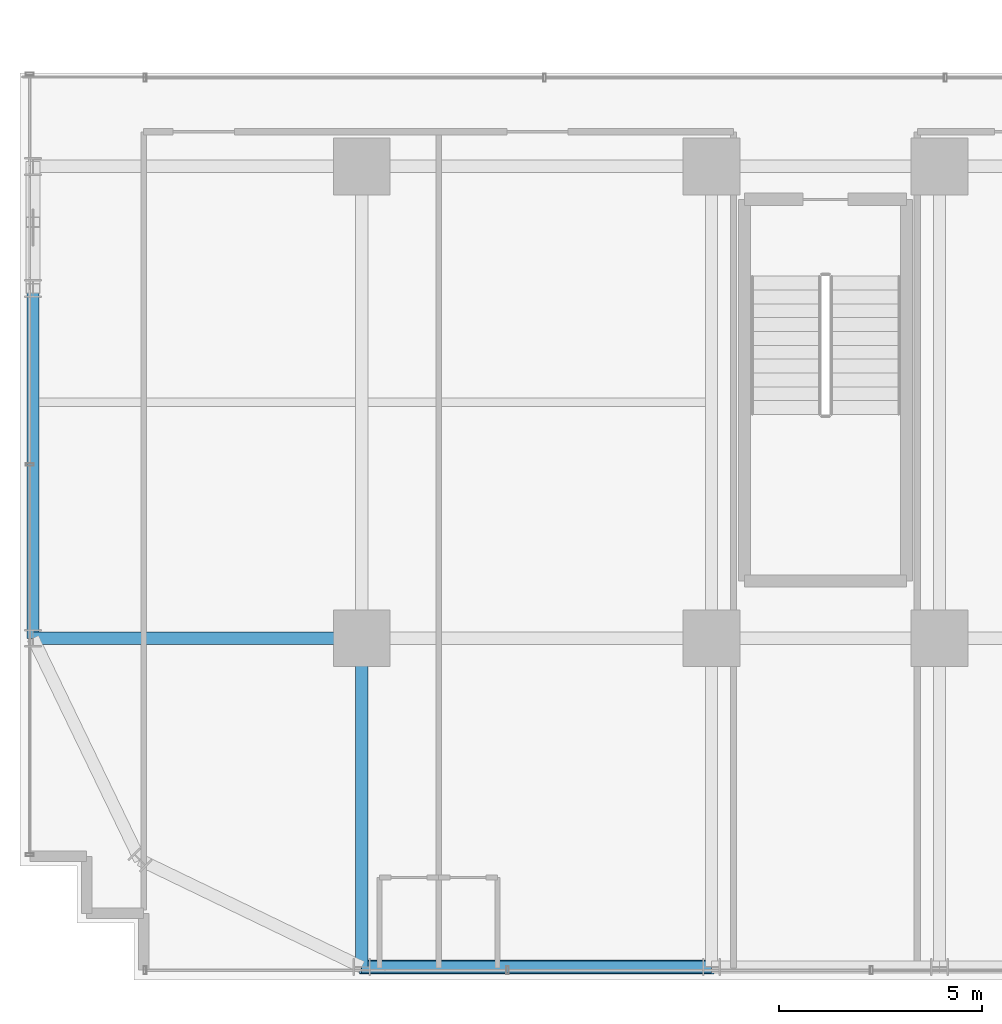
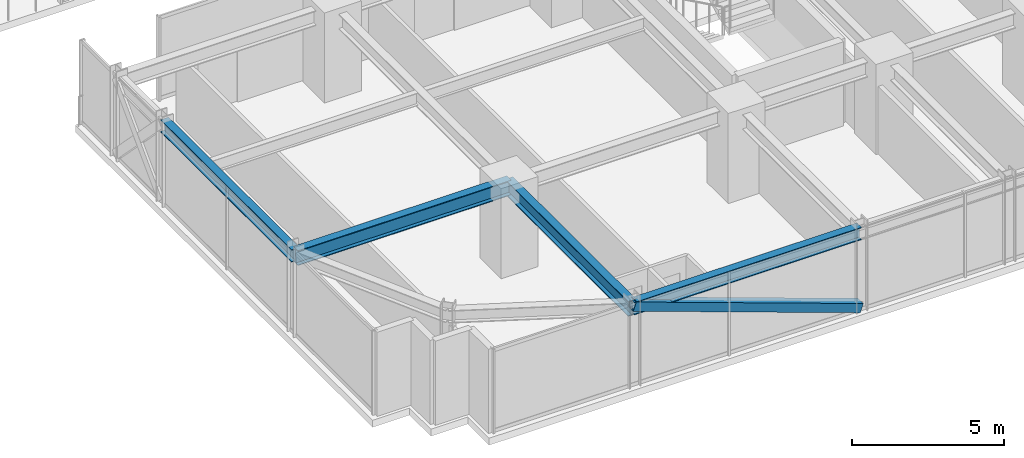
# One storey, part 4 of 41: 4 beams, 1 member.
"""IFC4 building model written with IfcOpenShell, lengths in metres."""

from ifc_helpers import new_model, si_unit, direction, frame, origin, origin_2d, place, context, subcontext, project, spatial, hollow_rectangle, i_section, extrude, source, transform, mapped, material, material_profile, profile_set, type_object, element, save


model = new_model("IFC4")

# Units and contexts
model_context = context("Model", 3, precision=1e-05, world=origin(), true_north=direction((0.0, 1.0)))
body_context = subcontext(model_context, "Body", "Model", "MODEL_VIEW")
ifc_project = project(units=[si_unit("LENGTHUNIT", "METRE"), si_unit("AREAUNIT", "SQUARE_METRE"), si_unit("VOLUMEUNIT", "CUBIC_METRE"), si_unit("PLANEANGLEUNIT", "RADIAN"), si_unit("MASSUNIT", "GRAM", prefix="KILO")], contexts=[model_context])

# Site, building, storey
site_placement = place(None, origin())
site = spatial("IfcSite", under=ifc_project, at=site_placement, CompositionType="ELEMENT")
building_placement = place(site_placement, origin())
building = spatial("IfcBuilding", under=site, at=building_placement, Name="Nahalor Promenade Grand Hotel", CompositionType="ELEMENT")
storey_placement = place(building_placement, frame((0.0, 0.0, 54.300048828125)))
storey = spatial("IfcBuildingStorey", under=building, at=storey_placement, Name="L12", CompositionType="ELEMENT", Elevation=54.300048828125)

# Beams
ifc_material = material(Name="Steel S355JR", Category="steel")
ifc_material_profile_1 = material_profile(ifc_material, i_section(OverallWidth=0.3, OverallDepth=0.5, WebThickness=0.0145, FlangeThickness=0.028, at=origin_2d()), Name="HEB 500")
ifc_profile_set_1 = profile_set([ifc_material_profile_1], Name="Steel S355JR")
beam_type_1 = type_object("IfcBeamType", Name="Beam-Spandrel-HEB500", PredefinedType="SPANDREL", material=ifc_profile_set_1)
shared_shape_1 = source(origin(), body_context, "Body", "SweptSolid", [
    extrude(i_section(OverallWidth=0.3, OverallDepth=0.5, WebThickness=0.0145, FlangeThickness=0.028, at=origin_2d()), origin(), (0.0, 0.0, 1.0), 8.60009765625),
])
for number, where, z_axis, x_axis, name in (
    (1, (-17.0, -25.080078125, 3.119873046875), (1.0, 0.0, 0.0), (0.0, 1.0, 0.0), "BM-L12-SP-S-0"),
    (2, (-25.080078125, -17.0, 3.119873046875), (0.0, 1.0, 0.0), (-1.0, 0.0, 0.0), "BM-L12-SP-W-0"),
):
    element("IfcBeam", number, at=place(storey_placement, frame(where, z_axis=z_axis, x_axis=x_axis)), inside=storey, type_object=beam_type_1, Name=name, PredefinedType="SPANDREL", context=body_context, shape_type="MappedRepresentation", body=[
        mapped(shared_shape_1, transform((0.0, 0.0, 0.0), scale=1.0)),
    ])
ifc_material_profile_2 = material_profile(ifc_material, i_section(OverallWidth=0.3, OverallDepth=0.6, WebThickness=0.0155, FlangeThickness=0.03, at=origin_2d()), Name="HEB 600")
ifc_profile_set_2 = profile_set([ifc_material_profile_2], Name="Steel S355JR")
beam_type_2 = type_object("IfcBeamType", Name="Beam-Girder-HEB600", PredefinedType="BEAM", material=ifc_profile_set_2)
shared_shape_2 = source(origin(), body_context, "Body", "SweptSolid", [
    extrude(i_section(OverallWidth=0.3, OverallDepth=0.6, WebThickness=0.0155, FlangeThickness=0.03, at=origin_2d()), origin(), (0.0, 0.0, 1.0), 8.080078125),
])
for number, where, z_axis, x_axis, name in (
    (3, (-25.080078125, -17.0, 3.070068359375), (1.0, 0.0, 0.0), (0.0, 1.0, 0.0), "BM-L12-GX-0-0"),
    (4, (-17.0, -25.080078125, 3.070068359375), (0.0, 1.0, 0.0), (-1.0, 0.0, 0.0), "BM-L12-GY-0-0"),
):
    element("IfcBeam", number, at=place(storey_placement, frame(where, z_axis=z_axis, x_axis=x_axis)), inside=storey, type_object=beam_type_2, Name=name, PredefinedType="BEAM", context=body_context, shape_type="MappedRepresentation", body=[
        mapped(shared_shape_2, transform((0.0, 0.0, 0.0), scale=1.0)),
    ])

# Member
ifc_material_profile_3 = material_profile(ifc_material, hollow_rectangle(XDim=0.35, YDim=0.35, WallThickness=0.02, at=origin_2d()), Name="SHS 350x350x20")
ifc_profile_set_3 = profile_set([ifc_material_profile_3], Name="Steel S355JR")
member_type = type_object("IfcMemberType", Name="Mem-VoidBrace-SHS350", PredefinedType="BRACE", material=ifc_profile_set_3)
shared_shape_3 = source(origin(), body_context, "Body", "SweptSolid", [
    extrude(hollow_rectangle(XDim=0.35, YDim=0.35, WallThickness=0.02, at=origin_2d()), origin(), (0.0, 0.0, 1.0), 9.131591796875),
])
member_placement = place(storey_placement, frame((-8.39990234375, -25.080078125, 0.14990234375), z_axis=(-0.941790292179, 0.0, 0.336200900589), x_axis=(0.0, -1.0, 0.0)))
element("IfcMember", 5, at=member_placement, inside=storey, type_object=member_type, Name="EXO-L12-S-0", PredefinedType="BRACE", context=body_context, shape_type="MappedRepresentation", body=[
    mapped(shared_shape_3, transform((0.0, 0.0, 0.0), scale=1.0)),
])

save(model, "model.ifc")
